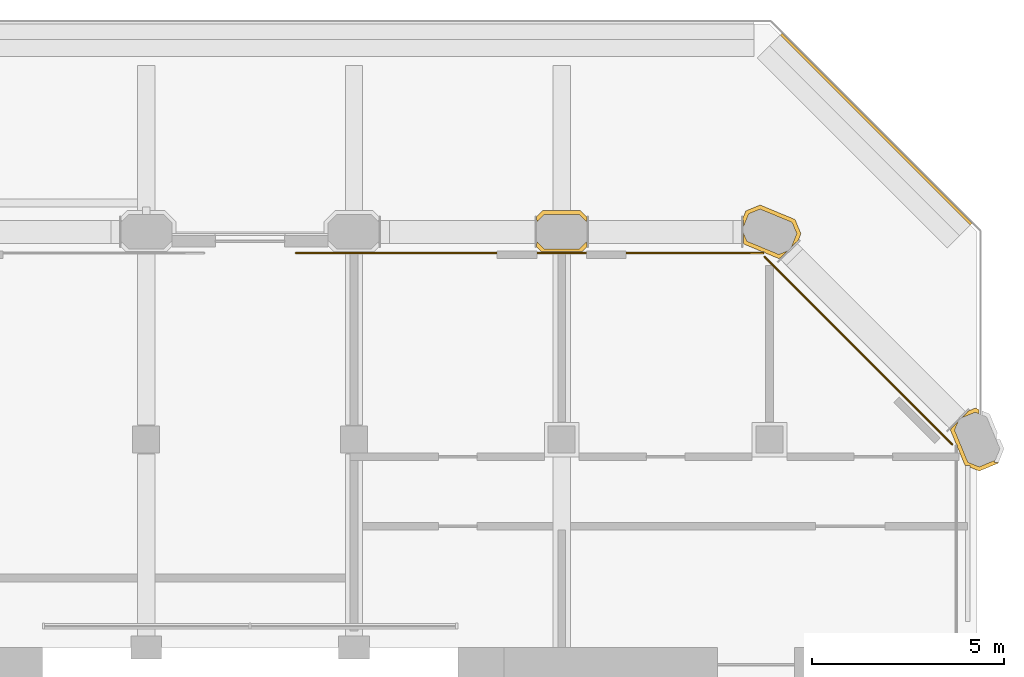
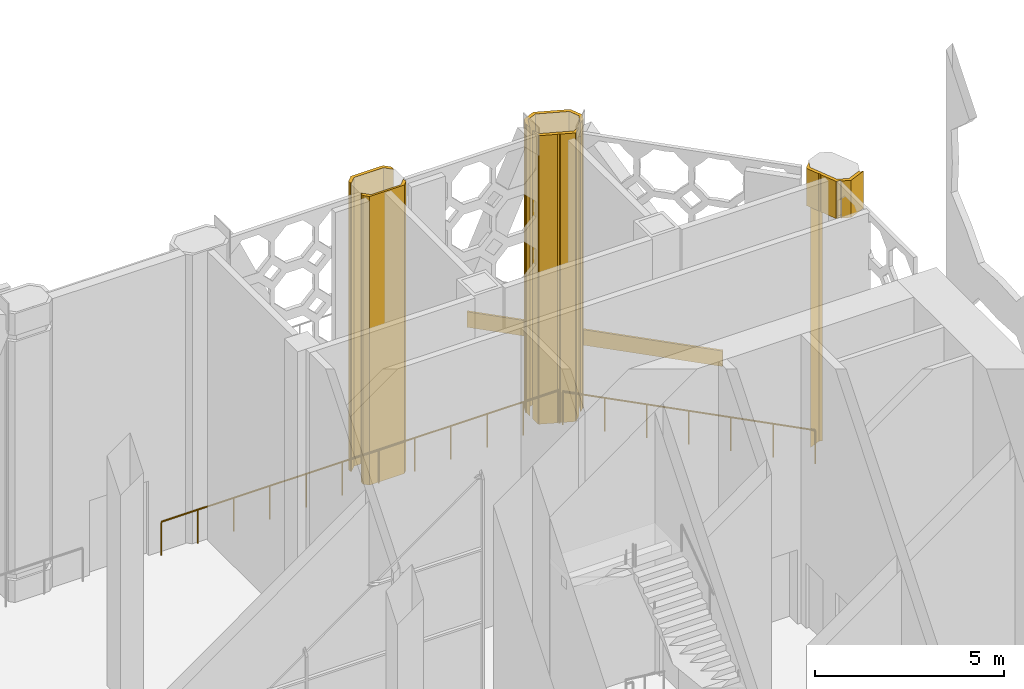
# One storey, part 27 of 28: 7 coverings, 2 railings.
"""IFC4 building model written with IfcOpenShell, lengths in metres."""

from ifc_helpers import new_model, si_unit, direction, frame, frame_2d, origin, origin_2d, place, context, subcontext, project, spatial, polyline, rectangle, circle, outline, extrude, material, layer, layer_set, type_object, element, save


model = new_model("IFC4")

# Units and contexts
model_context = context("Model", 3, precision=1e-05, world=origin(), true_north=direction((0.0, 1.0)))
body_context = subcontext(model_context, "Body", "Model", "MODEL_VIEW")
ifc_project = project(units=[si_unit("LENGTHUNIT", "METRE"), si_unit("AREAUNIT", "SQUARE_METRE"), si_unit("VOLUMEUNIT", "CUBIC_METRE"), si_unit("PLANEANGLEUNIT", "RADIAN"), si_unit("MASSUNIT", "GRAM", prefix="KILO")], contexts=[model_context])

# Site, building, storey
site_placement = place(None, origin())
site = spatial("IfcSite", under=ifc_project, at=site_placement, CompositionType="ELEMENT")
building_placement = place(site_placement, origin())
building = spatial("IfcBuilding", under=site, at=building_placement, Name="Tabaq Tower and Sports Hall", CompositionType="ELEMENT")
storey_placement = place(building_placement, frame((0.0, 0.0, 233.5)))
storey = spatial("IfcBuildingStorey", under=building, at=storey_placement, Name="L59", CompositionType="ELEMENT", Elevation=233.5)

# Coverings
ifc_material_1 = material(Name="Precast concrete C60/75", Category="concrete")
ifc_layer_1 = layer(ifc_material_1, 0.10009765625)
ifc_layer_set_1 = layer_set([ifc_layer_1], Name="Column cladding 100")
covering_type_1 = type_object("IfcCoveringType", Name="Column cladding 100", PredefinedType="CLADDING", material=ifc_layer_set_1)
covering_1_placement = place(storey_placement, origin())
element("IfcCovering", 1, at=covering_1_placement, inside=storey, type_object=covering_type_1, Name="Column cladding L59 PC-7I-S2", PredefinedType="CLADDING", context=body_context, shape_type="SweptSolid", body=[
    extrude(outline(polyline([(31.90869140625, 43.749755859375), (32.891357421875, 43.749755859375), (33.059814453125, 43.581298828125), (33.059814453125, 43.500244140625), (33.044677734375, 43.500244140625), (33.044677734375, 43.455810546875), (32.85009765625, 43.650390625), (31.949951171875, 43.650390625), (31.75537109375, 43.455810546875), (31.75537109375, 43.500244140625), (31.740234375, 43.500244140625), (31.740234375, 43.581298828125), (31.90869140625, 43.749755859375)])), origin(), (0.0, 0.0, 1.0), 9.300048828125),
])
covering_2_placement = place(storey_placement, origin())
element("IfcCovering", 2, at=covering_2_placement, inside=storey, type_object=covering_type_1, Name="Column cladding L59 PC-7I-S2 2", PredefinedType="CLADDING", context=body_context, shape_type="SweptSolid", body=[
    extrude(outline(polyline([(32.931396484375, 42.690185546875), (31.86865234375, 42.690185546875), (31.740234375, 42.818603515625), (31.740234375, 42.899658203125), (31.75537109375, 42.899658203125), (31.75537109375, 42.9443359375), (31.949951171875, 42.749755859375), (32.85009765625, 42.749755859375), (33.044677734375, 42.9443359375), (33.044677734375, 42.899658203125), (33.059814453125, 42.899658203125), (33.059814453125, 42.818603515625), (32.931396484375, 42.690185546875)])), origin(), (0.0, 0.0, 1.0), 9.300048828125),
])
covering_3_placement = place(storey_placement, origin())
element("IfcCovering", 3, at=covering_3_placement, inside=storey, type_object=covering_type_1, Name="Column cladding L59 PC-8I-S2", PredefinedType="CLADDING", context=body_context, shape_type="SweptSolid", body=[
    extrude(outline(polyline([(38.537109375, 42.955078125), (38.50341796875, 42.92138671875), (38.49267578125, 42.931884765625), (38.368408203125, 42.8076171875), (38.510009765625, 43.149658203125), (38.38818359375, 43.44384765625), (37.556396484375, 43.788330078125), (37.26220703125, 43.66650390625), (37.12060546875, 43.324462890625), (37.12060546875, 43.500244140625), (37.10546875, 43.500244140625), (37.10546875, 43.5478515625), (37.186279296875, 43.742431640625), (37.556396484375, 43.895751953125), (38.46435546875, 43.519775390625), (38.61767578125, 43.149658203125), (38.537109375, 42.955078125)])), origin(), (0.0, 0.0, 1.0), 9.300048828125),
])
covering_4_placement = place(storey_placement, origin())
element("IfcCovering", 4, at=covering_4_placement, inside=storey, type_object=covering_type_1, Name="Column cladding L59 PC-8I-S2 2", PredefinedType="CLADDING", context=body_context, shape_type="SweptSolid", body=[
    extrude(outline(polyline([(38.04345703125, 42.504150390625), (37.673828125, 42.6572265625), (37.673828125, 42.657958984375), (37.6728515625, 42.66162109375), (37.671630859375, 42.66552734375), (37.669921875, 42.6689453125), (37.667724609375, 42.67236328125), (37.66552734375, 42.675537109375), (37.662841796875, 42.678466796875), (37.659912109375, 42.68115234375), (37.65673828125, 42.68359375), (37.6533203125, 42.685546875), (37.649658203125, 42.687255859375), (37.64599609375, 42.6884765625), (37.64208984375, 42.689453125), (37.63818359375, 42.690185546875), (37.63427734375, 42.690185546875), (37.593994140625, 42.690185546875), (37.1357421875, 42.880126953125), (37.125244140625, 42.9052734375), (37.125244140625, 43.01025390625), (37.12060546875, 43.01025390625), (37.12060546875, 43.176513671875), (37.2119140625, 42.956298828125), (38.04345703125, 42.61181640625), (38.263671875, 42.702880859375), (38.080078125, 42.519287109375), (38.04345703125, 42.504150390625)])), origin(), (0.0, 0.0, 1.0), 9.300048828125),
])
covering_5_placement = place(storey_placement, origin())
element("IfcCovering", 5, at=covering_5_placement, inside=storey, type_object=covering_type_1, Name="Column cladding L59 PC-9H-S2 2", PredefinedType="CLADDING", context=body_context, shape_type="SweptSolid", body=[
    extrude(outline(polyline([(43.149658203125, 38.61767578125), (43.23974609375, 38.580322265625), (43.23974609375, 38.47265625), (43.149658203125, 38.510009765625), (42.8076171875, 38.368408203125), (42.931884765625, 38.49267578125), (42.92138671875, 38.50341796875), (42.955078125, 38.537109375), (43.149658203125, 38.61767578125)])), origin(), (0.0, 0.0, 1.0), 8.10009765625),
])
covering_6_placement = place(storey_placement, frame((0.0, 0.0, 8.10009765625)))
element("IfcCovering", 6, at=covering_6_placement, inside=storey, type_object=covering_type_1, Name="Column cladding L59 PC-9H-S2 head", PredefinedType="CLADDING", context=body_context, shape_type="SweptSolid", body=[
    extrude(outline(polyline([(43.01025390625, 37.081787109375), (43.01025390625, 37.125244140625), (42.9052734375, 37.125244140625), (42.880126953125, 37.1357421875), (42.690185546875, 37.593994140625), (42.690185546875, 37.63427734375), (42.690185546875, 37.63818359375), (42.689453125, 37.64208984375), (42.6884765625, 37.64599609375), (42.687255859375, 37.649658203125), (42.685546875, 37.6533203125), (42.68359375, 37.65673828125), (42.68115234375, 37.659912109375), (42.678466796875, 37.662841796875), (42.675537109375, 37.66552734375), (42.67236328125, 37.667724609375), (42.6689453125, 37.669921875), (42.66552734375, 37.671630859375), (42.66162109375, 37.6728515625), (42.657958984375, 37.673828125), (42.6572265625, 37.673828125), (42.504150390625, 38.04345703125), (42.519287109375, 38.080078125), (42.702880859375, 38.263671875), (42.61181640625, 38.04345703125), (42.956298828125, 37.2119140625), (43.25048828125, 37.08984375), (43.649658203125, 37.25537109375), (43.649658203125, 37.19970703125), (43.748046875, 37.19970703125), (43.742431640625, 37.186279296875), (43.25048828125, 36.982421875), (43.01025390625, 37.081787109375)])), origin(), (0.0, 0.0, 1.0), 1.199951171875),
])
ifc_material_2 = material(Name="Precast concrete C60/75", Category="concrete")
ifc_layer_2 = layer(ifc_material_2, 0.06005859375)
ifc_layer_set_2 = layer_set([ifc_layer_2], Name="Edge beam cladding 60")
covering_type_2 = type_object("IfcCoveringType", Name="Edge beam cladding 60", PredefinedType="CLADDING", material=ifc_layer_set_2)
covering_7_placement = place(storey_placement, frame((43.04443359375, 43.39794921875, -0.5), z_axis=(0.0, 0.0, 1.0), x_axis=(-0.707106781187, 0.707106781187, 0.0)))
element("IfcCovering", 7, at=covering_7_placement, inside=storey, type_object=covering_type_2, Name="Edge beam cladding L59 5", PredefinedType="CLADDING", context=body_context, shape_type="SweptSolid", body=[
    extrude(rectangle(XDim=6.98486328125, YDim=0.06005859375, at=frame_2d((3.492431640625, 0.0))), origin(), (0.0, 0.0, 1.0), 0.5),
])

# Railings
ifc_material_3 = material(Name="Stainless steel S316 and laminated glass", Category="steel")
railing_type = type_object("IfcRailingType", Name="Guard 1100 steel and glass", PredefinedType="GUARDRAIL", material=ifc_material_3)
railing_1_placement = place(storey_placement, frame((42.551025390625, 37.671142578125, 0.0)))
element("IfcRailing", 8, at=railing_1_placement, inside=storey, type_object=railing_type, Name="Guard L59 NE", PredefinedType="GUARDRAIL", context=body_context, shape_type="SweptSolid", body=[
    extrude(circle(Radius=0.02490234375, at=origin_2d()), frame((0.0, 0.0, 1.0751953125), z_axis=(-0.707106781187, 0.707106781187, 0.0), x_axis=(-0.707106781187, -0.707106781187, 0.0)), (0.0, 0.0, 1.0), 6.901123046875),
    extrude(circle(Radius=0.02001953125, at=origin_2d()), origin(), (0.0, 0.0, 1.0), 1.050048828125),
    extrude(circle(Radius=0.02001953125, at=origin_2d()), frame((-0.813232421875, 0.813232421875, 0.0)), (0.0, 0.0, 1.0), 1.050048828125),
    extrude(circle(Radius=0.02001953125, at=origin_2d()), frame((-1.626708984375, 1.626708984375, 0.0)), (0.0, 0.0, 1.0), 1.050048828125),
    extrude(circle(Radius=0.02001953125, at=origin_2d()), frame((-2.43994140625, 2.43994140625, 0.0)), (0.0, 0.0, 1.0), 1.050048828125),
    extrude(circle(Radius=0.02001953125, at=origin_2d()), frame((-3.253173828125, 3.253173828125, 0.0)), (0.0, 0.0, 1.0), 1.050048828125),
    extrude(circle(Radius=0.02001953125, at=origin_2d()), frame((-4.066650390625, 4.066650390625, 0.0)), (0.0, 0.0, 1.0), 1.050048828125),
    extrude(circle(Radius=0.02001953125, at=origin_2d()), frame((-4.8798828125, 4.8798828125, 0.0)), (0.0, 0.0, 1.0), 1.050048828125),
])
railing_2_placement = place(storey_placement, frame((37.63427734375, 42.64990234375, 0.0)))
element("IfcRailing", 9, at=railing_2_placement, inside=storey, type_object=railing_type, Name="Guard L59 N", PredefinedType="GUARDRAIL", context=body_context, shape_type="SweptSolid", body=[
    extrude(circle(Radius=0.02490234375, at=origin_2d()), frame((0.0, 0.0, 1.0751953125), z_axis=(-1.0, 0.0, 0.0), x_axis=(0.0, -1.0, 0.0)), (0.0, 0.0, 1.0), 12.13427734375),
    extrude(circle(Radius=0.02001953125, at=origin_2d()), origin(), (0.0, 0.0, 1.0), 1.050048828125),
    extrude(circle(Radius=0.02001953125, at=origin_2d()), frame((-1.10302734375, 0.0, 0.0)), (0.0, 0.0, 1.0), 1.050048828125),
    extrude(circle(Radius=0.02001953125, at=origin_2d()), frame((-2.206298828125, 0.0, 0.0)), (0.0, 0.0, 1.0), 1.050048828125),
    extrude(circle(Radius=0.02001953125, at=origin_2d()), frame((-3.309326171875, 0.0, 0.0)), (0.0, 0.0, 1.0), 1.050048828125),
    extrude(circle(Radius=0.02001953125, at=origin_2d()), frame((-4.412353515625, 0.0, 0.0)), (0.0, 0.0, 1.0), 1.050048828125),
    extrude(circle(Radius=0.02001953125, at=origin_2d()), frame((-5.515625, 0.0, 0.0)), (0.0, 0.0, 1.0), 1.050048828125),
    extrude(circle(Radius=0.02001953125, at=origin_2d()), frame((-6.61865234375, 0.0, 0.0)), (0.0, 0.0, 1.0), 1.050048828125),
    extrude(circle(Radius=0.02001953125, at=origin_2d()), frame((-7.721923828125, 0.0, 0.0)), (0.0, 0.0, 1.0), 1.050048828125),
    extrude(circle(Radius=0.02001953125, at=origin_2d()), frame((-8.824951171875, 0.0, 0.0)), (0.0, 0.0, 1.0), 1.050048828125),
    extrude(circle(Radius=0.02001953125, at=origin_2d()), frame((-9.927978515625, 0.0, 0.0)), (0.0, 0.0, 1.0), 1.050048828125),
    extrude(circle(Radius=0.02001953125, at=origin_2d()), frame((-11.03125, 0.0, 0.0)), (0.0, 0.0, 1.0), 1.050048828125),
    extrude(circle(Radius=0.02001953125, at=origin_2d()), frame((-12.13427734375, 0.0, 0.0)), (0.0, 0.0, 1.0), 1.050048828125),
])

save(model, "model.ifc")
